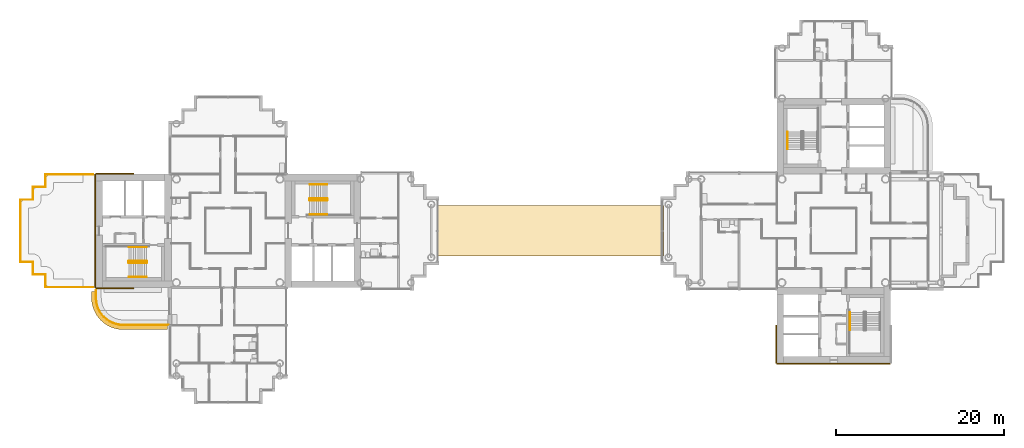
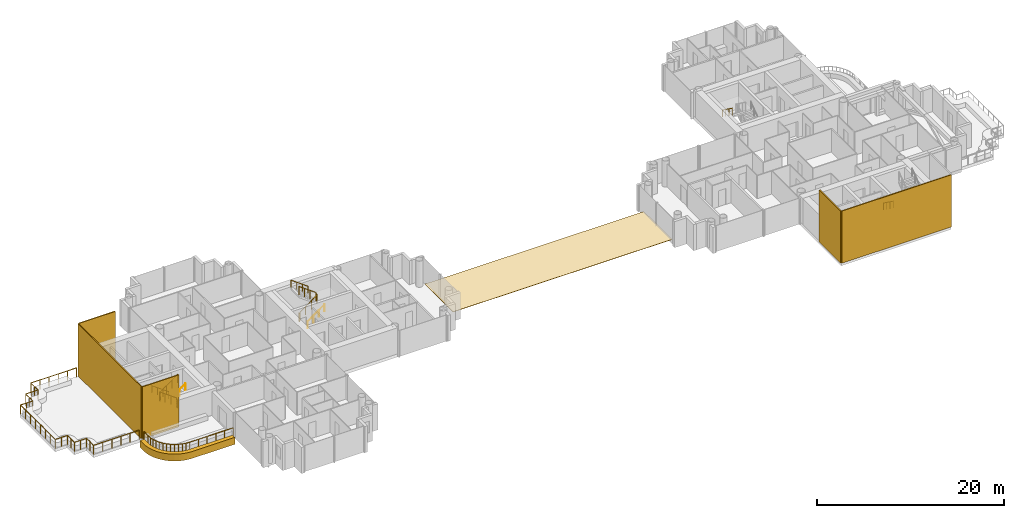
# One storey, part 17 of 19: 10 railings, 7 coverings.
"""IFC4 building model written with IfcOpenShell, lengths in metres."""

from ifc_helpers import new_model, si_unit, direction, frame, origin, origin_2d, place, context, subcontext, project, spatial, polyline, rectangle, circle, outline, extrude, material, layer, layer_set, type_object, element, save


model = new_model("IFC4")

# Units and contexts
model_context = context("Model", 3, precision=1e-05, world=origin(), true_north=direction((0.0, 1.0)))
body_context = subcontext(model_context, "Body", "Model", "MODEL_VIEW")
ifc_project = project(units=[si_unit("LENGTHUNIT", "METRE"), si_unit("AREAUNIT", "SQUARE_METRE"), si_unit("VOLUMEUNIT", "CUBIC_METRE"), si_unit("PLANEANGLEUNIT", "RADIAN"), si_unit("MASSUNIT", "GRAM", prefix="KILO")], contexts=[model_context])

# Site, building, storey
site_placement = place(None, origin())
site = spatial("IfcSite", under=ifc_project, at=site_placement, CompositionType="ELEMENT")
building_placement = place(site_placement, origin())
building = spatial("IfcBuilding", under=site, at=building_placement, Name="Ipe Terrace Towers", CompositionType="ELEMENT")
storey_placement = place(building_placement, frame((0.0, 0.0, 133.699951171875)))
storey = spatial("IfcBuildingStorey", under=building, at=storey_placement, Name="L36", CompositionType="ELEMENT", Elevation=133.699951171875)

# Railings
ifc_material_1 = material(Name="Stainless steel S316", Category="steel")
railing_type_1 = type_object("IfcRailingType", Name="GUARD 1100", PredefinedType="BALUSTRADE", material=ifc_material_1)
railing_1_placement = place(storey_placement, frame((-51.699951171875, -7.070068359375, -0.02001953125)))
element("IfcRailing", 1, at=railing_1_placement, inside=storey, type_object=railing_type_1, Name="guard", PredefinedType="BALUSTRADE", context=body_context, shape_type="SweptSolid", body=[
    extrude(circle(Radius=0.02392578125, at=origin_2d()), frame((0.0, 0.0, 1.076171875), z_axis=(0.0, -1.0, 0.0), x_axis=(1.0, 0.0, 0.0)), (0.0, 0.0, 1.0), 0.8779296875),
    extrude(circle(Radius=0.02392578125, at=origin_2d()), frame((0.0, -0.8779296875, 1.076171875), z_axis=(0.065190546171, -0.997872833927, 0.0), x_axis=(0.997872833927, 0.065190546171, 0.0)), (0.0, 0.0, 1.0), 0.427001953125),
    extrude(circle(Radius=0.02392578125, at=origin_2d()), frame((0.02783203125, -1.303955078125, 1.076171875), z_axis=(0.195232649896, -0.980756958892, 0.0), x_axis=(0.980756958892, 0.195232649896, 0.0)), (0.0, 0.0, 1.0), 0.42529296875),
    extrude(circle(Radius=0.02392578125, at=origin_2d()), frame((0.11083984375, -1.720947265625, 1.076171875), z_axis=(0.320184280026, -0.947355280148, 0.0), x_axis=(0.947355280148, 0.320184280026, 0.0)), (0.0, 0.0, 1.0), 0.425537109375),
    extrude(circle(Radius=0.02392578125, at=origin_2d()), frame((0.2470703125, -2.1240234375, 1.076171875), z_axis=(0.444455160923, -0.895801099535, 0.0), x_axis=(0.895801099535, 0.444455160923, 0.0)), (0.0, 0.0, 1.0), 0.425048828125),
    extrude(circle(Radius=0.02392578125, at=origin_2d()), frame((0.43603515625, -2.5048828125, 1.076171875), z_axis=(0.55549616226, -0.83151910003, 0.0), x_axis=(0.83151910003, 0.55549616226, 0.0)), (0.0, 0.0, 1.0), 0.424560546875),
    extrude(circle(Radius=0.02392578125, at=origin_2d()), frame((0.671875, -2.85791015625, 1.076171875), z_axis=(0.658463964434, -0.752612255774, 0.0), x_axis=(0.752612255774, 0.658463964434, 0.0)), (0.0, 0.0, 1.0), 0.42529296875),
    extrude(circle(Radius=0.02392578125, at=origin_2d()), frame((0.951904296875, -3.177978515625, 1.076171875), z_axis=(0.752612255774, -0.658463964434, 0.0), x_axis=(0.658463964434, 0.752612255774, 0.0)), (0.0, 0.0, 1.0), 0.42529296875),
    extrude(circle(Radius=0.02392578125, at=origin_2d()), frame((1.27197265625, -3.4580078125, 1.076171875), z_axis=(0.83151910003, -0.55549616226, 0.0), x_axis=(0.55549616226, 0.83151910003, 0.0)), (0.0, 0.0, 1.0), 0.424560546875),
    extrude(circle(Radius=0.02392578125, at=origin_2d()), frame((1.625, -3.69384765625, 1.076171875), z_axis=(0.895801099535, -0.444455160923, 0.0), x_axis=(0.444455160923, 0.895801099535, 0.0)), (0.0, 0.0, 1.0), 0.425048828125),
    extrude(circle(Radius=0.02392578125, at=origin_2d()), frame((2.005859375, -3.8828125, 1.076171875), z_axis=(0.947355280148, -0.320184280026, 0.0), x_axis=(0.320184280026, 0.947355280148, 0.0)), (0.0, 0.0, 1.0), 0.425537109375),
    extrude(circle(Radius=0.02392578125, at=origin_2d()), frame((2.408935546875, -4.01904296875, 1.076171875), z_axis=(0.980756958892, -0.195232649896, 0.0), x_axis=(0.195232649896, 0.980756958892, 0.0)), (0.0, 0.0, 1.0), 0.42529296875),
    extrude(circle(Radius=0.02392578125, at=origin_2d()), frame((2.825927734375, -4.10205078125, 1.076171875), z_axis=(0.997872833927, -0.065190546171, 0.0), x_axis=(0.065190546171, 0.997872833927, 0.0)), (0.0, 0.0, 1.0), 0.427001953125),
    extrude(circle(Radius=0.02392578125, at=origin_2d()), frame((3.251953125, -4.1298828125, 1.076171875), z_axis=(1.0, 0.0, 0.0), x_axis=(0.0, 1.0, 0.0)), (0.0, 0.0, 1.0), 5.3779296875),
    extrude(circle(Radius=0.02099609375, at=origin_2d()), origin(), (0.0, 0.0, 1.0), 1.052001953125),
    extrude(circle(Radius=0.02099609375, at=origin_2d()), frame((0.0, -0.8779296875, 0.0)), (0.0, 0.0, 1.0), 1.052001953125),
    extrude(circle(Radius=0.02099609375, at=origin_2d()), frame((0.02783203125, -1.303955078125, 0.0)), (0.0, 0.0, 1.0), 1.052001953125),
    extrude(circle(Radius=0.02099609375, at=origin_2d()), frame((0.11083984375, -1.720947265625, 0.0)), (0.0, 0.0, 1.0), 1.052001953125),
    extrude(circle(Radius=0.02099609375, at=origin_2d()), frame((0.2470703125, -2.1240234375, 0.0)), (0.0, 0.0, 1.0), 1.052001953125),
    extrude(circle(Radius=0.02099609375, at=origin_2d()), frame((0.43603515625, -2.5048828125, 0.0)), (0.0, 0.0, 1.0), 1.052001953125),
    extrude(circle(Radius=0.02099609375, at=origin_2d()), frame((0.671875, -2.85791015625, 0.0)), (0.0, 0.0, 1.0), 1.052001953125),
    extrude(circle(Radius=0.02099609375, at=origin_2d()), frame((0.951904296875, -3.177978515625, 0.0)), (0.0, 0.0, 1.0), 1.052001953125),
    extrude(circle(Radius=0.02099609375, at=origin_2d()), frame((1.27197265625, -3.4580078125, 0.0)), (0.0, 0.0, 1.0), 1.052001953125),
    extrude(circle(Radius=0.02099609375, at=origin_2d()), frame((1.625, -3.69384765625, 0.0)), (0.0, 0.0, 1.0), 1.052001953125),
    extrude(circle(Radius=0.02099609375, at=origin_2d()), frame((2.005859375, -3.8828125, 0.0)), (0.0, 0.0, 1.0), 1.052001953125),
    extrude(circle(Radius=0.02099609375, at=origin_2d()), frame((2.408935546875, -4.01904296875, 0.0)), (0.0, 0.0, 1.0), 1.052001953125),
    extrude(circle(Radius=0.02099609375, at=origin_2d()), frame((2.825927734375, -4.10205078125, 0.0)), (0.0, 0.0, 1.0), 1.052001953125),
    extrude(circle(Radius=0.02099609375, at=origin_2d()), frame((3.251953125, -4.1298828125, 0.0)), (0.0, 0.0, 1.0), 1.052001953125),
    extrude(circle(Radius=0.02099609375, at=origin_2d()), frame((4.32763671875, -4.1298828125, 0.0)), (0.0, 0.0, 1.0), 1.052001953125),
    extrude(circle(Radius=0.02099609375, at=origin_2d()), frame((5.403076171875, -4.1298828125, 0.0)), (0.0, 0.0, 1.0), 1.052001953125),
    extrude(circle(Radius=0.02099609375, at=origin_2d()), frame((6.478759765625, -4.1298828125, 0.0)), (0.0, 0.0, 1.0), 1.052001953125),
    extrude(circle(Radius=0.02099609375, at=origin_2d()), frame((7.55419921875, -4.1298828125, 0.0)), (0.0, 0.0, 1.0), 1.052001953125),
    extrude(circle(Radius=0.02099609375, at=origin_2d()), frame((8.6298828125, -4.1298828125, 0.0)), (0.0, 0.0, 1.0), 1.052001953125),
])
ifc_material_2 = material(Name="Stainless steel S316", Category="steel")
railing_type_2 = type_object("IfcRailingType", Name="ROOF GUARD 1200", PredefinedType="BALUSTRADE", material=ifc_material_2)
railing_2_placement = place(storey_placement, frame((-52.070068359375, 6.699951171875, -0.02001953125)))
element("IfcRailing", 2, at=railing_2_placement, inside=storey, type_object=railing_type_2, Name="roof guard", PredefinedType="BALUSTRADE", context=body_context, shape_type="SweptSolid", body=[
    extrude(circle(Radius=0.02392578125, at=origin_2d()), frame((0.0, 0.0, 1.17578125), z_axis=(-1.0, 0.0, 0.0), x_axis=(0.0, -1.0, 0.0)), (0.0, 0.0, 1.0), 5.6298828125),
    extrude(circle(Radius=0.02392578125, at=origin_2d()), frame((-5.6298828125, 0.0, 1.17578125), z_axis=(0.0, -1.0, 0.0), x_axis=(1.0, 0.0, 0.0)), (0.0, 0.0, 1.0), 1.5),
    extrude(circle(Radius=0.02392578125, at=origin_2d()), frame((-5.6298828125, -1.5, 1.17578125), z_axis=(-1.0, 0.0, 0.0), x_axis=(0.0, -1.0, 0.0)), (0.0, 0.0, 1.0), 1.5),
    extrude(circle(Radius=0.02392578125, at=origin_2d()), frame((-7.1298828125, -1.5, 1.17578125), z_axis=(0.0, -1.0, 0.0), x_axis=(1.0, 0.0, 0.0)), (0.0, 0.0, 1.0), 1.5),
    extrude(circle(Radius=0.02392578125, at=origin_2d()), frame((-7.1298828125, -3.0, 1.17578125), z_axis=(-1.0, 0.0, 0.0), x_axis=(0.0, -1.0, 0.0)), (0.0, 0.0, 1.0), 1.5),
    extrude(circle(Radius=0.02392578125, at=origin_2d()), frame((-8.6298828125, -3.0, 1.17578125), z_axis=(0.0, -1.0, 0.0), x_axis=(1.0, 0.0, 0.0)), (0.0, 0.0, 1.0), 7.39990234375),
    extrude(circle(Radius=0.02392578125, at=origin_2d()), frame((-8.6298828125, -10.39990234375, 1.17578125), z_axis=(1.0, 0.0, 0.0), x_axis=(0.0, 1.0, 0.0)), (0.0, 0.0, 1.0), 1.5),
    extrude(circle(Radius=0.02392578125, at=origin_2d()), frame((-7.1298828125, -10.39990234375, 1.17578125), z_axis=(0.0, -1.0, 0.0), x_axis=(1.0, 0.0, 0.0)), (0.0, 0.0, 1.0), 1.5),
    extrude(circle(Radius=0.02392578125, at=origin_2d()), frame((-7.1298828125, -11.89990234375, 1.17578125), z_axis=(1.0, 0.0, 0.0), x_axis=(0.0, 1.0, 0.0)), (0.0, 0.0, 1.0), 1.5),
    extrude(circle(Radius=0.02392578125, at=origin_2d()), frame((-5.6298828125, -11.89990234375, 1.17578125), z_axis=(0.0, -1.0, 0.0), x_axis=(1.0, 0.0, 0.0)), (0.0, 0.0, 1.0), 1.5),
    extrude(circle(Radius=0.02392578125, at=origin_2d()), frame((-5.6298828125, -13.39990234375, 1.17578125), z_axis=(1.0, 0.0, 0.0), x_axis=(0.0, 1.0, 0.0)), (0.0, 0.0, 1.0), 5.6298828125),
    extrude(circle(Radius=0.02099609375, at=origin_2d()), origin(), (0.0, 0.0, 1.0), 1.15185546875),
    extrude(circle(Radius=0.02099609375, at=origin_2d()), frame((-1.1259765625, 0.0, 0.0)), (0.0, 0.0, 1.0), 1.15185546875),
    extrude(circle(Radius=0.02099609375, at=origin_2d()), frame((-2.251953125, 0.0, 0.0)), (0.0, 0.0, 1.0), 1.15185546875),
    extrude(circle(Radius=0.02099609375, at=origin_2d()), frame((-3.3779296875, 0.0, 0.0)), (0.0, 0.0, 1.0), 1.15185546875),
    extrude(circle(Radius=0.02099609375, at=origin_2d()), frame((-4.50390625, 0.0, 0.0)), (0.0, 0.0, 1.0), 1.15185546875),
    extrude(circle(Radius=0.02099609375, at=origin_2d()), frame((-5.6298828125, 0.0, 0.0)), (0.0, 0.0, 1.0), 1.15185546875),
    extrude(circle(Radius=0.02099609375, at=origin_2d()), frame((-5.6298828125, -0.75, 0.0)), (0.0, 0.0, 1.0), 1.15185546875),
    extrude(circle(Radius=0.02099609375, at=origin_2d()), frame((-5.6298828125, -1.5, 0.0)), (0.0, 0.0, 1.0), 1.15185546875),
    extrude(circle(Radius=0.02099609375, at=origin_2d()), frame((-6.3798828125, -1.5, 0.0)), (0.0, 0.0, 1.0), 1.15185546875),
    extrude(circle(Radius=0.02099609375, at=origin_2d()), frame((-7.1298828125, -1.5, 0.0)), (0.0, 0.0, 1.0), 1.15185546875),
    extrude(circle(Radius=0.02099609375, at=origin_2d()), frame((-7.1298828125, -2.25, 0.0)), (0.0, 0.0, 1.0), 1.15185546875),
    extrude(circle(Radius=0.02099609375, at=origin_2d()), frame((-7.1298828125, -3.0, 0.0)), (0.0, 0.0, 1.0), 1.15185546875),
    extrude(circle(Radius=0.02099609375, at=origin_2d()), frame((-7.8798828125, -3.0, 0.0)), (0.0, 0.0, 1.0), 1.15185546875),
    extrude(circle(Radius=0.02099609375, at=origin_2d()), frame((-8.6298828125, -3.0, 0.0)), (0.0, 0.0, 1.0), 1.15185546875),
    extrude(circle(Radius=0.02099609375, at=origin_2d()), frame((-8.6298828125, -4.05712890625, 0.0)), (0.0, 0.0, 1.0), 1.15185546875),
    extrude(circle(Radius=0.02099609375, at=origin_2d()), frame((-8.6298828125, -5.1142578125, 0.0)), (0.0, 0.0, 1.0), 1.15185546875),
    extrude(circle(Radius=0.02099609375, at=origin_2d()), frame((-8.6298828125, -6.17138671875, 0.0)), (0.0, 0.0, 1.0), 1.15185546875),
    extrude(circle(Radius=0.02099609375, at=origin_2d()), frame((-8.6298828125, -7.228515625, 0.0)), (0.0, 0.0, 1.0), 1.15185546875),
    extrude(circle(Radius=0.02099609375, at=origin_2d()), frame((-8.6298828125, -8.28564453125, 0.0)), (0.0, 0.0, 1.0), 1.15185546875),
    extrude(circle(Radius=0.02099609375, at=origin_2d()), frame((-8.6298828125, -9.3427734375, 0.0)), (0.0, 0.0, 1.0), 1.15185546875),
    extrude(circle(Radius=0.02099609375, at=origin_2d()), frame((-8.6298828125, -10.39990234375, 0.0)), (0.0, 0.0, 1.0), 1.15185546875),
    extrude(circle(Radius=0.02099609375, at=origin_2d()), frame((-7.8798828125, -10.39990234375, 0.0)), (0.0, 0.0, 1.0), 1.15185546875),
    extrude(circle(Radius=0.02099609375, at=origin_2d()), frame((-7.1298828125, -10.39990234375, 0.0)), (0.0, 0.0, 1.0), 1.15185546875),
    extrude(circle(Radius=0.02099609375, at=origin_2d()), frame((-7.1298828125, -11.14990234375, 0.0)), (0.0, 0.0, 1.0), 1.15185546875),
    extrude(circle(Radius=0.02099609375, at=origin_2d()), frame((-7.1298828125, -11.89990234375, 0.0)), (0.0, 0.0, 1.0), 1.15185546875),
    extrude(circle(Radius=0.02099609375, at=origin_2d()), frame((-6.3798828125, -11.89990234375, 0.0)), (0.0, 0.0, 1.0), 1.15185546875),
    extrude(circle(Radius=0.02099609375, at=origin_2d()), frame((-5.6298828125, -11.89990234375, 0.0)), (0.0, 0.0, 1.0), 1.15185546875),
    extrude(circle(Radius=0.02099609375, at=origin_2d()), frame((-5.6298828125, -12.64990234375, 0.0)), (0.0, 0.0, 1.0), 1.15185546875),
    extrude(circle(Radius=0.02099609375, at=origin_2d()), frame((-5.6298828125, -13.39990234375, 0.0)), (0.0, 0.0, 1.0), 1.15185546875),
    extrude(circle(Radius=0.02099609375, at=origin_2d()), frame((-4.50390625, -13.39990234375, 0.0)), (0.0, 0.0, 1.0), 1.15185546875),
    extrude(circle(Radius=0.02099609375, at=origin_2d()), frame((-3.3779296875, -13.39990234375, 0.0)), (0.0, 0.0, 1.0), 1.15185546875),
    extrude(circle(Radius=0.02099609375, at=origin_2d()), frame((-2.251953125, -13.39990234375, 0.0)), (0.0, 0.0, 1.0), 1.15185546875),
    extrude(circle(Radius=0.02099609375, at=origin_2d()), frame((-1.1259765625, -13.39990234375, 0.0)), (0.0, 0.0, 1.0), 1.15185546875),
    extrude(circle(Radius=0.02099609375, at=origin_2d()), frame((0.0, -13.39990234375, 0.0)), (0.0, 0.0, 1.0), 1.15185546875),
])

# Coverings
ifc_material_3 = material(Name="Bitumen membrane roofing")
ifc_layer_1 = layer(ifc_material_3, 0.0400390625)
ifc_layer_set_1 = layer_set([ifc_layer_1], Name="ROOFING MEMBRANE 40")
covering_type_1 = type_object("IfcCoveringType", Name="ROOFING MEMBRANE 40", PredefinedType="ROOFING", material=ifc_layer_set_1)
covering_1_placement = place(storey_placement, origin())
element("IfcCovering", 3, at=covering_1_placement, inside=storey, type_object=covering_type_1, Name="BR2 roofing", PredefinedType="ROOFING", context=body_context, shape_type="SweptSolid", body=[
    extrude(outline(polyline([(-11.25, -3.0), (15.75, -3.0), (15.75, 3.0), (-11.25, 3.0), (-11.25, -3.0)])), origin(), (0.0, 0.0, 1.0), 0.0400390625),
])
ifc_material_4 = material(Name="Concrete C50/60 precast, buff finish", Category="concrete")
ifc_layer_2 = layer(ifc_material_4, 0.1201171875)
ifc_layer_set_2 = layer_set([ifc_layer_2], Name="STONE CORE CLADDING 120")
covering_type_2 = type_object("IfcCoveringType", Name="STONE CORE CLADDING 120", PredefinedType="CLADDING", material=ifc_layer_set_2)
covering_2_placement = place(storey_placement, frame((-49.5, -6.81005859375, 0.0), z_axis=(0.0, 0.0, 1.0), x_axis=(1.0, 0.0, 0.0)))
element("IfcCovering", 4, at=covering_2_placement, inside=storey, type_object=covering_type_2, Name="stone core cladding", PredefinedType="CLADDING", context=body_context, shape_type="SweptSolid", body=[
    extrude(rectangle(XDim=4.5, YDim=0.1201171875, at=origin_2d()), origin(), (0.0, 0.0, 1.0), 6.800048828125),
])
covering_3_placement = place(storey_placement, frame((-51.81005859375, 0.0, 0.0), z_axis=(0.0, 0.0, 1.0), x_axis=(0.0, -1.0, 0.0)))
element("IfcCovering", 5, at=covering_3_placement, inside=storey, type_object=covering_type_2, Name="stone core cladding", PredefinedType="CLADDING", context=body_context, shape_type="SweptSolid", body=[
    extrude(rectangle(XDim=13.5, YDim=0.1201171875, at=origin_2d()), origin(), (0.0, 0.0, 1.0), 6.800048828125),
])
covering_4_placement = place(storey_placement, frame((-49.5, 6.81005859375, 0.0), z_axis=(0.0, 0.0, 1.0), x_axis=(-1.0, 0.0, 0.0)))
element("IfcCovering", 6, at=covering_4_placement, inside=storey, type_object=covering_type_2, Name="stone core cladding", PredefinedType="CLADDING", context=body_context, shape_type="SweptSolid", body=[
    extrude(rectangle(XDim=4.5, YDim=0.1201171875, at=origin_2d()), origin(), (0.0, 0.0, 1.0), 6.800048828125),
])
covering_5_placement = place(storey_placement, frame((36.0, -15.81005859375, 0.0), z_axis=(0.0, 0.0, 1.0), x_axis=(1.0, 0.0, 0.0)))
element("IfcCovering", 7, at=covering_5_placement, inside=storey, type_object=covering_type_2, Name="stone core cladding", PredefinedType="CLADDING", context=body_context, shape_type="SweptSolid", body=[
    extrude(rectangle(XDim=13.5, YDim=0.1201171875, at=origin_2d()), origin(), (0.0, 0.0, 1.0), 6.800048828125),
])
covering_6_placement = place(storey_placement, frame((29.18994140625, -13.5, 0.0), z_axis=(0.0, 0.0, 1.0), x_axis=(0.0, -1.0, 0.0)))
element("IfcCovering", 8, at=covering_6_placement, inside=storey, type_object=covering_type_2, Name="stone core cladding", PredefinedType="CLADDING", context=body_context, shape_type="SweptSolid", body=[
    extrude(rectangle(XDim=4.5, YDim=0.1201171875, at=origin_2d()), origin(), (0.0, 0.0, 1.0), 6.800048828125),
])
ifc_material_5 = material(Name="Concrete C50/60 precast, buff finish", Category="concrete")
ifc_layer_3 = layer(ifc_material_5, 0.5)
ifc_layer_set_3 = layer_set([ifc_layer_3], Name="STONE EDGE BAND 500 x 900")
covering_type_3 = type_object("IfcCoveringType", Name="STONE EDGE BAND 500 x 900", PredefinedType="CLADDING", material=ifc_layer_set_3)
covering_7_placement = place(storey_placement, frame((0.0, 0.0, -0.719970703125)))
element("IfcCovering", 9, at=covering_7_placement, inside=storey, type_object=covering_type_3, Name="stone edge band", PredefinedType="CLADDING", context=body_context, shape_type="SweptSolid", body=[
    extrude(outline(polyline([(-48.449951171875, -11.75), (-43.199951171875, -11.75), (-43.199951171875, -11.25), (-48.449951171875, -11.25), (-48.881103515625, -11.221923828125), (-49.303955078125, -11.137939453125), (-49.712890625, -10.9990234375), (-50.10009765625, -10.80810546875), (-50.458984375, -10.568115234375), (-50.782958984375, -10.282958984375), (-51.068115234375, -9.958984375), (-51.30810546875, -9.60009765625), (-51.4990234375, -9.212890625), (-51.637939453125, -8.803955078125), (-51.721923828125, -8.381103515625), (-51.75, -7.949951171875), (-51.75, -7.199951171875), (-52.25, -7.199951171875), (-52.25, -7.949951171875), (-52.2490234375, -7.98291015625), (-52.220947265625, -8.4130859375), (-52.2119140625, -8.47802734375), (-52.1279296875, -8.902099609375), (-52.111083984375, -8.965087890625), (-51.971923828125, -9.3740234375), (-51.947021484375, -9.43408203125), (-51.756103515625, -9.821044921875), (-51.72412109375, -9.8779296875), (-51.48388671875, -10.237060546875), (-51.444091796875, -10.2890625), (-51.158935546875, -10.613037109375), (-51.113037109375, -10.658935546875), (-50.7890625, -10.944091796875), (-50.737060546875, -10.98388671875), (-50.3779296875, -11.22412109375), (-50.321044921875, -11.256103515625), (-49.93408203125, -11.447021484375), (-49.8740234375, -11.471923828125), (-49.465087890625, -11.611083984375), (-49.402099609375, -11.6279296875), (-48.97802734375, -11.7119140625), (-48.9130859375, -11.720947265625), (-48.48291015625, -11.7490234375), (-48.449951171875, -11.75)])), origin(), (0.0, 0.0, 1.0), 0.89990234375),
])

# Railings
ifc_material_6 = material(Name="Steel S355", Category="steel")
railing_type_3 = type_object("IfcRailingType", Name="Stair guard 1100", PredefinedType="GUARDRAIL", material=ifc_material_6)
railing_3_placement = place(storey_placement, frame((-26.35009765625, 3.800048828125, 0.0)))
element("IfcRailing", 10, at=railing_3_placement, inside=storey, type_object=railing_type_3, Name="L36 T1-ST1 stair guard 1", PredefinedType="GUARDRAIL", context=body_context, shape_type="SweptSolid", body=[
    extrude(circle(Radius=0.02392578125, at=origin_2d()), frame((0.0, 0.0, 1.076171875), z_axis=(0.0, -1.0, 0.0), x_axis=(1.0, 0.0, 0.0)), (0.0, 0.0, 1.0), 0.150146484375),
    extrude(circle(Radius=0.02392578125, at=origin_2d()), frame((0.0, -0.150146484375, 1.076171875), z_axis=(0.248103849378, -0.246893586699, 0.936743314239), x_axis=(0.705375805398, 0.708833529934, 0.0)), (0.0, 0.0, 1.0), 0.20166015625),
    extrude(circle(Radius=0.02392578125, at=origin_2d()), frame((0.050048828125, -0.199951171875, 1.26513671875), z_axis=(0.809068575486, 0.0, 0.587714250432), x_axis=(0.0, 1.0, 0.0)), (0.0, 0.0, 1.0), 2.571044921875),
    extrude(circle(Radius=0.02392578125, at=origin_2d()), frame((2.130126953125, -0.199951171875, 2.77587890625), z_axis=(0.708833529934, 0.705375805398, 0.0), x_axis=(-0.705375805398, 0.708833529934, 0.0)), (0.0, 0.0, 1.0), 0.070556640625),
    extrude(circle(Radius=0.02392578125, at=origin_2d()), frame((2.18017578125, -0.150146484375, 2.77587890625), z_axis=(0.0, 1.0, 0.0), x_axis=(-1.0, 0.0, 0.0)), (0.0, 0.0, 1.0), 0.150146484375),
    extrude(circle(Radius=0.02392578125, at=origin_2d()), frame((2.18017578125, 0.0, 2.77587890625), z_axis=(-0.248029566107, 0.248029566107, 0.936462849596), x_axis=(-0.707106781187, -0.707106781187, 0.0)), (0.0, 0.0, 1.0), 0.201904296875),
    extrude(circle(Radius=0.02392578125, at=origin_2d()), frame((2.130126953125, 0.050048828125, 2.96484375), z_axis=(-0.809023421508, 0.0, 0.587776406001), x_axis=(0.0, -1.0, 0.0)), (0.0, 0.0, 1.0), 2.571044921875),
    extrude(circle(Radius=0.02099609375, at=origin_2d()), origin(), (0.0, 0.0, 1.0), 1.052001953125),
    extrude(circle(Radius=0.02099609375, at=origin_2d()), frame((0.0, -0.150146484375, 0.0)), (0.0, 0.0, 1.0), 1.052001953125),
    extrude(circle(Radius=0.02099609375, at=origin_2d()), frame((0.050048828125, -0.199951171875, 0.18896484375)), (0.0, 0.0, 1.0), 1.052001953125),
    extrude(circle(Radius=0.02099609375, at=origin_2d()), frame((0.743408203125, -0.199951171875, 0.692626953125)), (0.0, 0.0, 1.0), 1.052001953125),
    extrude(circle(Radius=0.02099609375, at=origin_2d()), frame((1.436767578125, -0.199951171875, 1.1962890625)), (0.0, 0.0, 1.0), 1.052001953125),
    extrude(circle(Radius=0.02099609375, at=origin_2d()), frame((2.130126953125, -0.199951171875, 1.699951171875)), (0.0, 0.0, 1.0), 1.052001953125),
    extrude(circle(Radius=0.02099609375, at=origin_2d()), frame((2.18017578125, -0.150146484375, 1.699951171875)), (0.0, 0.0, 1.0), 1.052001953125),
    extrude(circle(Radius=0.02099609375, at=origin_2d()), frame((2.18017578125, 0.0, 1.699951171875)), (0.0, 0.0, 1.0), 1.052001953125),
    extrude(circle(Radius=0.02099609375, at=origin_2d()), frame((2.130126953125, 0.050048828125, 1.888916015625)), (0.0, 0.0, 1.0), 1.052001953125),
    extrude(circle(Radius=0.02099609375, at=origin_2d()), frame((1.436767578125, 0.050048828125, 2.392578125)), (0.0, 0.0, 1.0), 1.052001953125),
    extrude(circle(Radius=0.02099609375, at=origin_2d()), frame((0.743408203125, 0.050048828125, 2.896484375)), (0.0, 0.0, 1.0), 1.052001953125),
    extrude(circle(Radius=0.02099609375, at=origin_2d()), frame((0.050048828125, 0.050048828125, 3.400146484375)), (0.0, 0.0, 1.0), 1.052001953125),
])
railing_4_placement = place(storey_placement, frame((-45.64990234375, -3.800048828125, 0.0)))
element("IfcRailing", 11, at=railing_4_placement, inside=storey, type_object=railing_type_3, Name="L36 T1-ST2 stair guard 1", PredefinedType="GUARDRAIL", context=body_context, shape_type="SweptSolid", body=[
    extrude(circle(Radius=0.02392578125, at=origin_2d()), frame((0.0, 0.0, 1.076171875), z_axis=(0.0, 1.0, 0.0), x_axis=(-1.0, 0.0, 0.0)), (0.0, 0.0, 1.0), 0.150146484375),
    extrude(circle(Radius=0.02392578125, at=origin_2d()), frame((0.0, 0.150146484375, 1.076171875), z_axis=(-0.248103849378, 0.246893586699, 0.936743314239), x_axis=(-0.705375805398, -0.708833529934, 0.0)), (0.0, 0.0, 1.0), 0.20166015625),
    extrude(circle(Radius=0.02392578125, at=origin_2d()), frame((-0.050048828125, 0.199951171875, 1.26513671875), z_axis=(-0.809068575486, 0.0, 0.587714250432), x_axis=(0.0, -1.0, 0.0)), (0.0, 0.0, 1.0), 2.571044921875),
    extrude(circle(Radius=0.02392578125, at=origin_2d()), frame((-2.130126953125, 0.199951171875, 2.77587890625), z_axis=(-0.708833529934, -0.705375805398, 0.0), x_axis=(0.705375805398, -0.708833529934, 0.0)), (0.0, 0.0, 1.0), 0.070556640625),
    extrude(circle(Radius=0.02392578125, at=origin_2d()), frame((-2.18017578125, 0.150146484375, 2.77587890625), z_axis=(0.0, -1.0, 0.0), x_axis=(1.0, 0.0, 0.0)), (0.0, 0.0, 1.0), 0.150146484375),
    extrude(circle(Radius=0.02392578125, at=origin_2d()), frame((-2.18017578125, 0.0, 2.77587890625), z_axis=(0.248029566107, -0.248029566107, 0.936462849596), x_axis=(0.707106781187, 0.707106781187, 0.0)), (0.0, 0.0, 1.0), 0.201904296875),
    extrude(circle(Radius=0.02392578125, at=origin_2d()), frame((-2.130126953125, -0.050048828125, 2.96484375), z_axis=(0.809023421508, 0.0, 0.587776406001), x_axis=(0.0, 1.0, 0.0)), (0.0, 0.0, 1.0), 2.571044921875),
    extrude(circle(Radius=0.02099609375, at=origin_2d()), origin(), (0.0, 0.0, 1.0), 1.052001953125),
    extrude(circle(Radius=0.02099609375, at=origin_2d()), frame((0.0, 0.150146484375, 0.0)), (0.0, 0.0, 1.0), 1.052001953125),
    extrude(circle(Radius=0.02099609375, at=origin_2d()), frame((-0.050048828125, 0.199951171875, 0.18896484375)), (0.0, 0.0, 1.0), 1.052001953125),
    extrude(circle(Radius=0.02099609375, at=origin_2d()), frame((-0.743408203125, 0.199951171875, 0.692626953125)), (0.0, 0.0, 1.0), 1.052001953125),
    extrude(circle(Radius=0.02099609375, at=origin_2d()), frame((-1.436767578125, 0.199951171875, 1.1962890625)), (0.0, 0.0, 1.0), 1.052001953125),
    extrude(circle(Radius=0.02099609375, at=origin_2d()), frame((-2.130126953125, 0.199951171875, 1.699951171875)), (0.0, 0.0, 1.0), 1.052001953125),
    extrude(circle(Radius=0.02099609375, at=origin_2d()), frame((-2.18017578125, 0.150146484375, 1.699951171875)), (0.0, 0.0, 1.0), 1.052001953125),
    extrude(circle(Radius=0.02099609375, at=origin_2d()), frame((-2.18017578125, 0.0, 1.699951171875)), (0.0, 0.0, 1.0), 1.052001953125),
    extrude(circle(Radius=0.02099609375, at=origin_2d()), frame((-2.130126953125, -0.050048828125, 1.888916015625)), (0.0, 0.0, 1.0), 1.052001953125),
    extrude(circle(Radius=0.02099609375, at=origin_2d()), frame((-1.436767578125, -0.050048828125, 2.392578125)), (0.0, 0.0, 1.0), 1.052001953125),
    extrude(circle(Radius=0.02099609375, at=origin_2d()), frame((-0.743408203125, -0.050048828125, 2.896484375)), (0.0, 0.0, 1.0), 1.052001953125),
    extrude(circle(Radius=0.02099609375, at=origin_2d()), frame((-0.050048828125, -0.050048828125, 3.400146484375)), (0.0, 0.0, 1.0), 1.052001953125),
])
ifc_material_7 = material(Name="Stainless steel grade 304", Category="steel")
railing_type_4 = type_object("IfcRailingType", Name="Stair handrail 900", PredefinedType="HANDRAIL", material=ifc_material_7)
railing_5_placement = place(storey_placement, frame((-26.300048828125, 1.949951171875, 0.18896484375)))
element("IfcRailing", 12, at=railing_5_placement, inside=storey, type_object=railing_type_4, Name="L36 T1-ST1 stair handrail 1", PredefinedType="HANDRAIL", context=body_context, shape_type="SweptSolid", body=[
    extrude(circle(Radius=0.02392578125, at=origin_2d()), frame((0.0, 0.0, 0.8759765625), z_axis=(0.809068575486, 0.0, 0.587714250432), x_axis=(0.0, 1.0, 0.0)), (0.0, 0.0, 1.0), 2.571044921875),
    extrude(circle(Radius=0.02099609375, at=origin_2d()), origin(), (0.0, 0.0, 1.0), 0.851806640625),
    extrude(circle(Radius=0.02099609375, at=origin_2d()), frame((0.693359375, 0.0, 0.503662109375)), (0.0, 0.0, 1.0), 0.851806640625),
    extrude(circle(Radius=0.02099609375, at=origin_2d()), frame((1.38671875, 0.0, 1.00732421875)), (0.0, 0.0, 1.0), 0.851806640625),
    extrude(circle(Radius=0.02099609375, at=origin_2d()), frame((2.080078125, 0.0, 1.510986328125)), (0.0, 0.0, 1.0), 0.851806640625),
])
railing_6_placement = place(storey_placement, frame((-24.219970703125, 5.5, 1.888916015625)))
element("IfcRailing", 13, at=railing_6_placement, inside=storey, type_object=railing_type_4, Name="L36 T1-ST1 stair handrail 2", PredefinedType="HANDRAIL", context=body_context, shape_type="SweptSolid", body=[
    extrude(circle(Radius=0.02392578125, at=origin_2d()), frame((0.0, 0.0, 0.8759765625), z_axis=(-0.809023421508, 0.0, 0.587776406001), x_axis=(0.0, -1.0, 0.0)), (0.0, 0.0, 1.0), 2.571044921875),
    extrude(circle(Radius=0.02099609375, at=origin_2d()), origin(), (0.0, 0.0, 1.0), 0.851806640625),
    extrude(circle(Radius=0.02099609375, at=origin_2d()), frame((-0.693359375, 0.0, 0.503662109375)), (0.0, 0.0, 1.0), 0.851806640625),
    extrude(circle(Radius=0.02099609375, at=origin_2d()), frame((-1.38671875, 0.0, 1.007568359375)), (0.0, 0.0, 1.0), 0.851806640625),
    extrude(circle(Radius=0.02099609375, at=origin_2d()), frame((-2.080078125, 0.0, 1.51123046875)), (0.0, 0.0, 1.0), 0.851806640625),
])
railing_7_placement = place(storey_placement, frame((-45.699951171875, -1.949951171875, 0.18896484375)))
element("IfcRailing", 14, at=railing_7_placement, inside=storey, type_object=railing_type_4, Name="L36 T1-ST2 stair handrail 1", PredefinedType="HANDRAIL", context=body_context, shape_type="SweptSolid", body=[
    extrude(circle(Radius=0.02392578125, at=origin_2d()), frame((0.0, 0.0, 0.8759765625), z_axis=(-0.809068575486, 0.0, 0.587714250432), x_axis=(0.0, -1.0, 0.0)), (0.0, 0.0, 1.0), 2.571044921875),
    extrude(circle(Radius=0.02099609375, at=origin_2d()), origin(), (0.0, 0.0, 1.0), 0.851806640625),
    extrude(circle(Radius=0.02099609375, at=origin_2d()), frame((-0.693359375, 0.0, 0.503662109375)), (0.0, 0.0, 1.0), 0.851806640625),
    extrude(circle(Radius=0.02099609375, at=origin_2d()), frame((-1.38671875, 0.0, 1.00732421875)), (0.0, 0.0, 1.0), 0.851806640625),
    extrude(circle(Radius=0.02099609375, at=origin_2d()), frame((-2.080078125, 0.0, 1.510986328125)), (0.0, 0.0, 1.0), 0.851806640625),
])
railing_8_placement = place(storey_placement, frame((-47.780029296875, -5.5, 1.888916015625)))
element("IfcRailing", 15, at=railing_8_placement, inside=storey, type_object=railing_type_4, Name="L36 T1-ST2 stair handrail 2", PredefinedType="HANDRAIL", context=body_context, shape_type="SweptSolid", body=[
    extrude(circle(Radius=0.02392578125, at=origin_2d()), frame((0.0, 0.0, 0.8759765625), z_axis=(0.809023421508, 0.0, 0.587776406001), x_axis=(0.0, 1.0, 0.0)), (0.0, 0.0, 1.0), 2.571044921875),
    extrude(circle(Radius=0.02099609375, at=origin_2d()), origin(), (0.0, 0.0, 1.0), 0.851806640625),
    extrude(circle(Radius=0.02099609375, at=origin_2d()), frame((0.693359375, 0.0, 0.503662109375)), (0.0, 0.0, 1.0), 0.851806640625),
    extrude(circle(Radius=0.02099609375, at=origin_2d()), frame((1.38671875, 0.0, 1.007568359375)), (0.0, 0.0, 1.0), 0.851806640625),
    extrude(circle(Radius=0.02099609375, at=origin_2d()), frame((2.080078125, 0.0, 1.51123046875)), (0.0, 0.0, 1.0), 0.851806640625),
])
railing_9_placement = place(storey_placement, frame((30.5, 11.780029296875, 1.888916015625)))
element("IfcRailing", 16, at=railing_9_placement, inside=storey, type_object=railing_type_4, Name="L36 T2-ST1 stair handrail 2", PredefinedType="HANDRAIL", context=body_context, shape_type="SweptSolid", body=[
    extrude(circle(Radius=0.02392578125, at=origin_2d()), frame((0.0, 0.0, 0.8759765625), z_axis=(0.0, -0.809023421508, 0.587776406001), x_axis=(1.0, 0.0, 0.0)), (0.0, 0.0, 1.0), 2.571044921875),
    extrude(circle(Radius=0.02099609375, at=origin_2d()), origin(), (0.0, 0.0, 1.0), 0.851806640625),
    extrude(circle(Radius=0.02099609375, at=origin_2d()), frame((0.0, -0.693359375, 0.503662109375)), (0.0, 0.0, 1.0), 0.851806640625),
    extrude(circle(Radius=0.02099609375, at=origin_2d()), frame((0.0, -1.38671875, 1.007568359375)), (0.0, 0.0, 1.0), 0.851806640625),
    extrude(circle(Radius=0.02099609375, at=origin_2d()), frame((0.0, -2.080078125, 1.51123046875)), (0.0, 0.0, 1.0), 0.851806640625),
])
railing_10_placement = place(storey_placement, frame((37.949951171875, -9.699951171875, 0.18896484375)))
element("IfcRailing", 17, at=railing_10_placement, inside=storey, type_object=railing_type_4, Name="L36 T2-ST2 stair handrail 1", PredefinedType="HANDRAIL", context=body_context, shape_type="SweptSolid", body=[
    extrude(circle(Radius=0.02392578125, at=origin_2d()), frame((0.0, 0.0, 0.8759765625), z_axis=(0.0, -0.809068575486, 0.587714250432), x_axis=(1.0, 0.0, 0.0)), (0.0, 0.0, 1.0), 2.571044921875),
    extrude(circle(Radius=0.02099609375, at=origin_2d()), origin(), (0.0, 0.0, 1.0), 0.851806640625),
    extrude(circle(Radius=0.02099609375, at=origin_2d()), frame((0.0, -0.693359375, 0.503662109375)), (0.0, 0.0, 1.0), 0.851806640625),
    extrude(circle(Radius=0.02099609375, at=origin_2d()), frame((0.0, -1.38671875, 1.00732421875)), (0.0, 0.0, 1.0), 0.851806640625),
    extrude(circle(Radius=0.02099609375, at=origin_2d()), frame((0.0, -2.080078125, 1.510986328125)), (0.0, 0.0, 1.0), 0.851806640625),
])

save(model, "model.ifc")
